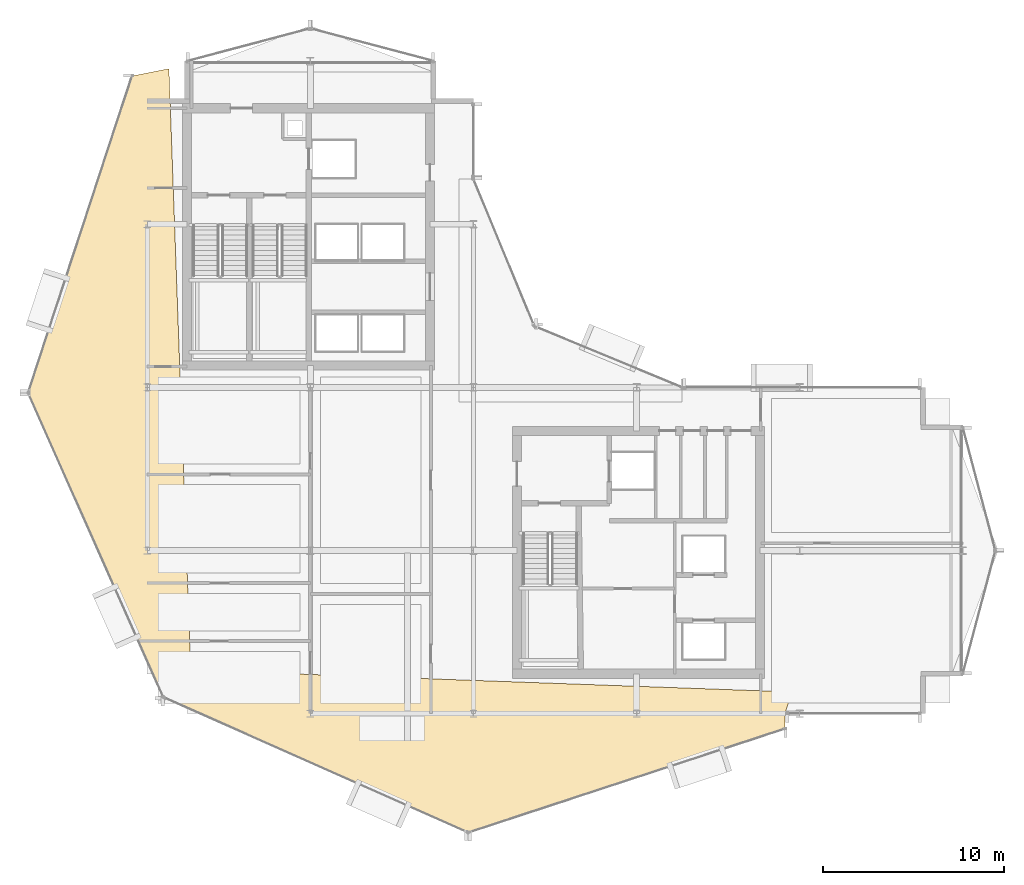
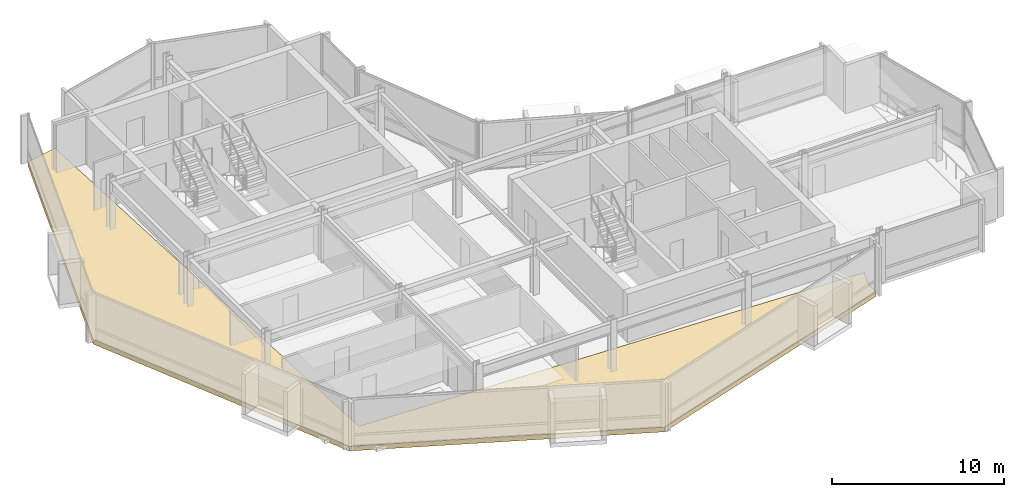
# One storey, part 24 of 27: 1 covering.
"""IFC4 building model written with IfcOpenShell, lengths in metres."""

from ifc_helpers import new_model, si_unit, direction, frame, origin, place, context, subcontext, project, spatial, polyline, outline, extrude, material, layer, layer_set, type_object, element, save


model = new_model("IFC4")

# Units and contexts
model_context = context("Model", 3, precision=1e-05, world=origin(), true_north=direction((0.0, 1.0)))
body_context = subcontext(model_context, "Body", "Model", "MODEL_VIEW")
ifc_project = project(units=[si_unit("LENGTHUNIT", "METRE"), si_unit("AREAUNIT", "SQUARE_METRE"), si_unit("VOLUMEUNIT", "CUBIC_METRE"), si_unit("PLANEANGLEUNIT", "RADIAN"), si_unit("MASSUNIT", "GRAM", prefix="KILO")], contexts=[model_context])

# Site, building, storey
site_placement = place(None, origin())
site = spatial("IfcSite", under=ifc_project, at=site_placement, CompositionType="ELEMENT")
building_placement = place(site_placement, origin())
building = spatial("IfcBuilding", under=site, at=building_placement, Name="Solvaryn Broadcast Tower", CompositionType="ELEMENT")
storey_placement = place(building_placement, frame((0.0, 0.0, 181.60009765625)))
storey = spatial("IfcBuildingStorey", under=building, at=storey_placement, Name="L45", CompositionType="ELEMENT", Elevation=181.60009765625)

# Covering
ifc_material = material(Name="Sculpted Architectural Terracotta Wave Fascia", Category="masonry")
ifc_layer = layer(ifc_material, 0.340087890625)
ifc_layer_set = layer_set([ifc_layer], Name="CV-WAVE-TRAY")
covering_type = type_object("IfcCoveringType", Name="CV-WAVE-TRAY", PredefinedType="CLADDING", material=ifc_layer_set)
covering_placement = place(storey_placement, frame((0.0, 0.0, -0.300048828125)))
element("IfcCovering", 1, at=covering_placement, inside=storey, type_object=covering_type, Name="L45 Stepped Cylindrical Drum Floor Apron", PredefinedType="CLADDING", context=body_context, shape_type="SweptSolid", body=[
    extrude(outline(polyline([(10.199951171875, 44.58203125), (8.1630859375, 44.181884765625), (2.43310546875, 26.7060546875), (9.89794921875, 9.89794921875), (26.7060546875, 2.43310546875), (44.181884765625, 8.1630859375), (44.181884765625, 9.0), (44.58203125, 10.199951171875), (11.39990234375, 11.39990234375), (10.199951171875, 44.58203125)])), origin(), (0.0, 0.0, 1.0), 0.329833984375),
])

save(model, "model.ifc")
